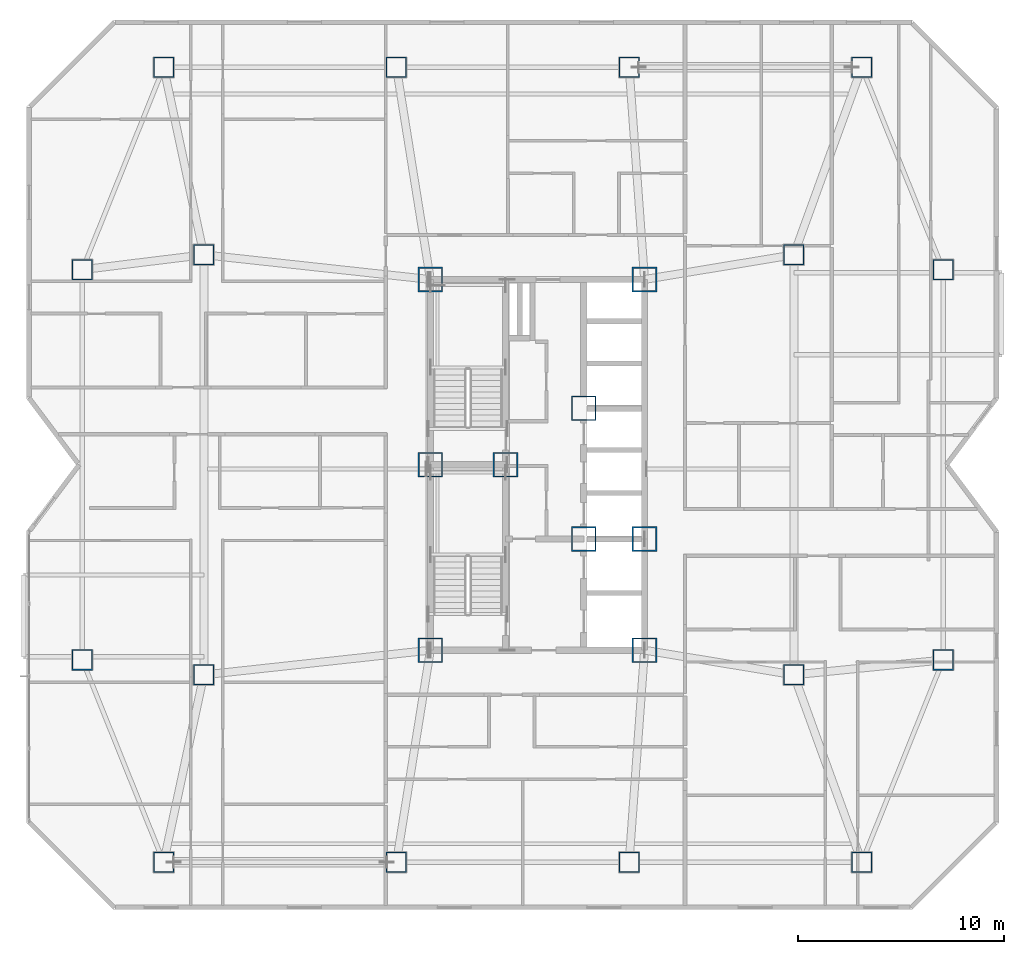
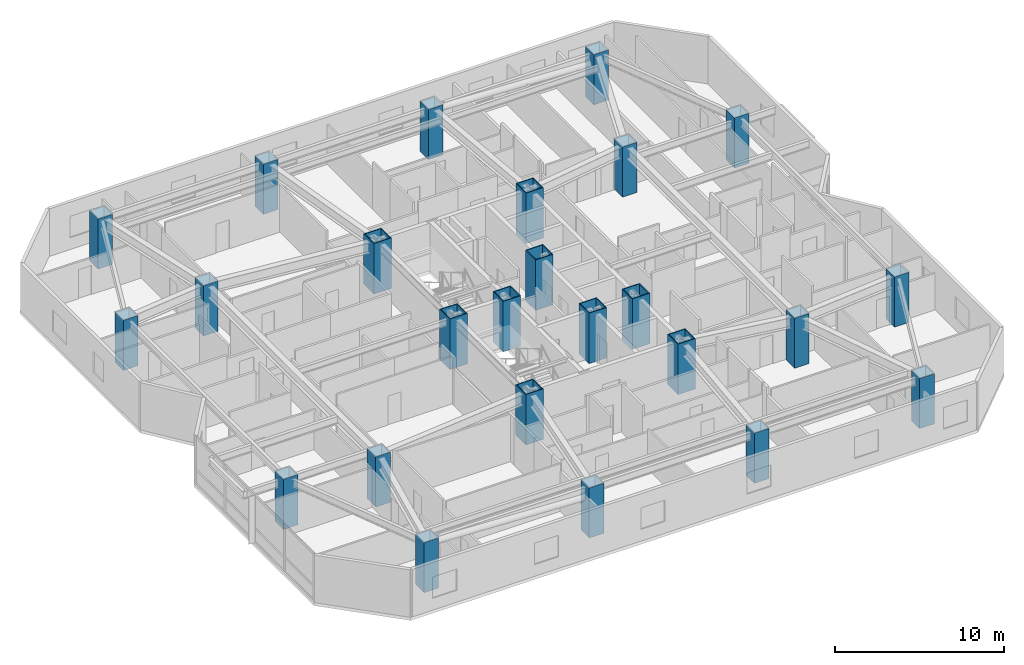
# One storey, part 1 of 17: 25 columns.
"""IFC4 building model written with IfcOpenShell, lengths in metres."""

from ifc_helpers import new_model, si_unit, direction, frame, origin, origin_2d, place, context, subcontext, project, spatial, hollow_rectangle, extrude, material, material_profile, profile_set, type_object, element, save


model = new_model("IFC4")

# Units and contexts
model_context = context("Model", 3, precision=1e-05, world=origin(), true_north=direction((0.0, 1.0)))
body_context = subcontext(model_context, "Body", "Model", "MODEL_VIEW")
ifc_project = project(units=[si_unit("LENGTHUNIT", "METRE"), si_unit("AREAUNIT", "SQUARE_METRE"), si_unit("VOLUMEUNIT", "CUBIC_METRE"), si_unit("PLANEANGLEUNIT", "RADIAN"), si_unit("MASSUNIT", "GRAM", prefix="KILO")], contexts=[model_context])

# Site, building, storey
site_placement = place(None, origin())
site = spatial("IfcSite", under=ifc_project, at=site_placement, CompositionType="ELEMENT")
building_placement = place(site_placement, origin())
building = spatial("IfcBuilding", under=site, at=building_placement, Name="Khamvora Tower", CompositionType="ELEMENT")
storey_placement = place(building_placement, frame((0.0, 0.0, 131.10009765625)))
storey = spatial("IfcBuildingStorey", under=building, at=storey_placement, Name="L33", CompositionType="ELEMENT", Elevation=131.10009765625)

# Columns
ifc_material_1 = material(Name="Steel S355", Category="steel")
ifc_material_profile_1 = material_profile(ifc_material_1, hollow_rectangle(XDim=1.0, YDim=1.0, WallThickness=0.050048828125, at=origin_2d()), Name="BOX1000x1000x50")
ifc_profile_set_1 = profile_set([ifc_material_profile_1], Name="Steel S355")
column_type_1 = type_object("IfcColumnType", Name="COL-BOX1000", PredefinedType="COLUMN", material=ifc_profile_set_1)
for number, where, z_axis, x_axis, name in (
    (1, (16.050048828125, 8.699951171875, 0.0), (0.0, 0.0, 1.0), (1.0, 0.0, 0.0), "L33 structural frame column S1"),
    (2, (27.35009765625, 8.699951171875, 0.0), (0.0, 0.0, 1.0), (1.0, 0.0, 0.0), "L33 structural frame column S2"),
    (3, (38.64990234375, 8.699951171875, 0.0), (0.0, 0.0, 1.0), (1.0, 0.0, 0.0), "L33 structural frame column S3"),
    (4, (49.949951171875, 8.699951171875, 0.0), (0.0, 0.0, 1.0), (1.0, 0.0, 0.0), "L33 structural frame column S4"),
    (5, (16.050048828125, 47.300048828125, 0.0), (0.0, 0.0, 1.0), (1.0, 0.0, 0.0), "L33 structural frame column N1"),
    (6, (27.35009765625, 47.300048828125, 0.0), (0.0, 0.0, 1.0), (1.0, 0.0, 0.0), "L33 structural frame column N2"),
    (7, (38.64990234375, 47.300048828125, 0.0), (0.0, 0.0, 1.0), (1.0, 0.0, 0.0), "L33 structural frame column N3"),
    (8, (49.949951171875, 47.300048828125, 0.0), (0.0, 0.0, 1.0), (1.0, 0.0, 0.0), "L33 structural frame column N4"),
    (9, (12.10009765625, 18.52490234375, 0.0), (0.0, 0.0, 1.0), (1.0, 0.0, 0.0), "L33 structural frame column W1"),
    (10, (12.10009765625, 37.47509765625, 0.0), (0.0, 0.0, 1.0), (1.0, 0.0, 0.0), "L33 structural frame column W2"),
    (11, (53.89990234375, 18.52490234375, 0.0), (0.0, 0.0, 1.0), (1.0, 0.0, 0.0), "L33 structural frame column E1"),
    (12, (53.89990234375, 37.47509765625, 0.0), (0.0, 0.0, 1.0), (1.0, 0.0, 0.0), "L33 structural frame column E2"),
    (13, (18.0, 17.800048828125, 0.0), (0.0, 0.0, 1.0), (1.0, 0.0, 0.0), "L33 structural frame column MW1"),
    (14, (18.0, 38.199951171875, 0.0), (0.0, 0.0, 1.0), (1.0, 0.0, 0.0), "L33 structural frame column MW2"),
    (15, (46.64990234375, 17.800048828125, 0.0), (0.0, 0.0, 1.0), (1.0, 0.0, 0.0), "L33 structural frame column M1"),
    (16, (46.64990234375, 38.199951171875, 0.0), (0.0, 0.0, 1.0), (1.0, 0.0, 0.0), "L33 structural frame column M2"),
):
    element("IfcColumn", number, at=place(storey_placement, frame(where, z_axis=z_axis, x_axis=x_axis)), inside=storey, type_object=column_type_1, Name=name, PredefinedType="COLUMN", context=body_context, shape_type="SweptSolid", body=[
        extrude(hollow_rectangle(XDim=1.0, YDim=1.0, WallThickness=0.050048828125, at=origin_2d()), origin(), (0.0, 0.0, 1.0), 3.625),
    ])
ifc_material_2 = material(Name="Steel S460", Category="steel")
ifc_material_profile_2 = material_profile(ifc_material_2, hollow_rectangle(XDim=1.199951171875, YDim=1.199951171875, WallThickness=0.06005859375, at=origin_2d()), Name="BOX1200x1200x60")
ifc_profile_set_2 = profile_set([ifc_material_profile_2], Name="Steel S460")
column_type_2 = type_object("IfcColumnType", Name="COL-BOX1200", PredefinedType="COLUMN", material=ifc_profile_set_2)
for number, where, z_axis, x_axis, name in (
    (17, (29.0, 19.0, 0.0), (0.0, 0.0, 1.0), (1.0, 0.0, 0.0), "L33 plumb core spine column SC1"),
    (18, (32.64990234375, 28.0, 0.0), (0.0, 0.0, 1.0), (1.0, 0.0, 0.0), "L33 plumb core spine column SC2"),
    (19, (39.39990234375, 19.0, 0.0), (0.0, 0.0, 1.0), (1.0, 0.0, 0.0), "L33 plumb core spine column SC3"),
    (20, (29.0, 28.0, 0.0), (0.0, 0.0, 1.0), (1.0, 0.0, 0.0), "L33 plumb core spine column SC4"),
    (21, (36.449951171875, 24.39990234375, 0.0), (0.0, 0.0, 1.0), (1.0, 0.0, 0.0), "L33 plumb core spine column SC5"),
    (22, (39.39990234375, 24.39990234375, 0.0), (0.0, 0.0, 1.0), (1.0, 0.0, 0.0), "L33 plumb core spine column SC6"),
    (23, (29.0, 37.0, 0.0), (0.0, 0.0, 1.0), (1.0, 0.0, 0.0), "L33 plumb core spine column SC7"),
    (24, (36.449951171875, 30.75, 0.0), (0.0, 0.0, 1.0), (1.0, 0.0, 0.0), "L33 plumb core spine column SC8"),
    (25, (39.39990234375, 37.0, 0.0), (0.0, 0.0, 1.0), (1.0, 0.0, 0.0), "L33 plumb core spine column SC9"),
):
    element("IfcColumn", number, at=place(storey_placement, frame(where, z_axis=z_axis, x_axis=x_axis)), inside=storey, type_object=column_type_2, Name=name, PredefinedType="COLUMN", context=body_context, shape_type="SweptSolid", body=[
        extrude(hollow_rectangle(XDim=1.199951171875, YDim=1.199951171875, WallThickness=0.06005859375, at=origin_2d()), origin(), (0.0, 0.0, 1.0), 3.64990234375),
    ])

save(model, "model.ifc")
